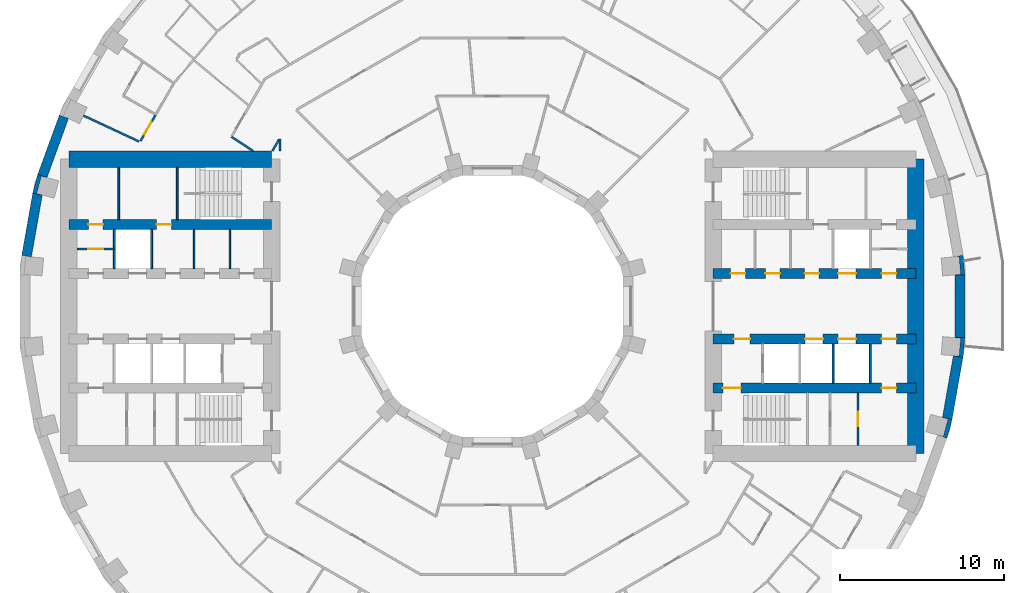
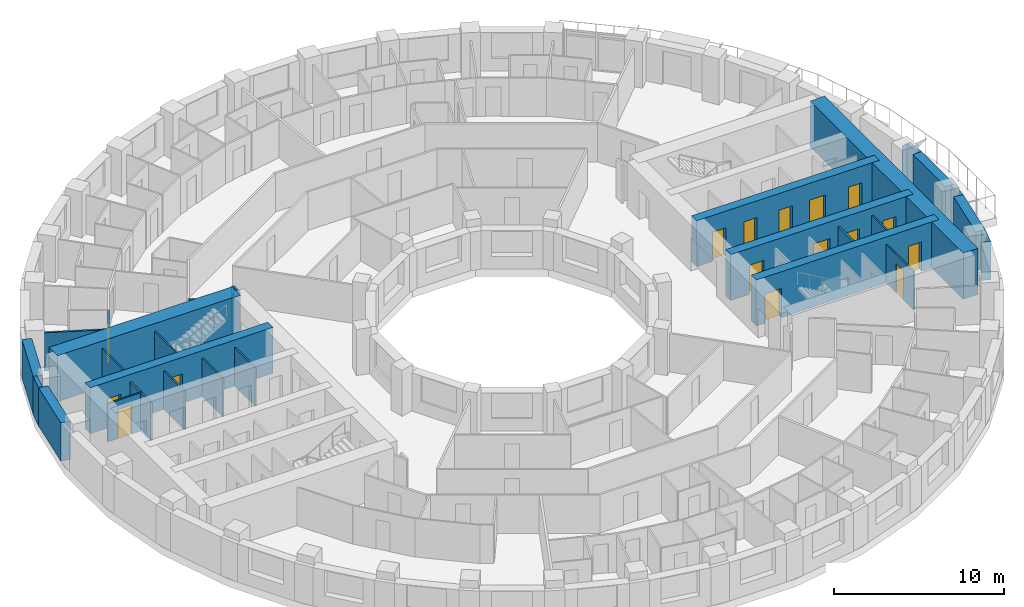
# One storey, part 9 of 15: 29 walls, 16 doors, 16 openings.
"""IFC4 building model written with IfcOpenShell, lengths in metres."""

from ifc_helpers import new_model, si_unit, direction, frame, frame_2d, origin, place, context, subcontext, project, spatial, polyline, rectangle, outline, extrude, material, layer, layer_set, type_object, element, fill, save


model = new_model("IFC4")

# Units and contexts
model_context = context("Model", 3, precision=1e-05, world=origin(), true_north=direction((0.0, 1.0)))
body_context = subcontext(model_context, "Body", "Model", "MODEL_VIEW")
ifc_project = project(units=[si_unit("LENGTHUNIT", "METRE"), si_unit("AREAUNIT", "SQUARE_METRE"), si_unit("VOLUMEUNIT", "CUBIC_METRE"), si_unit("PLANEANGLEUNIT", "RADIAN"), si_unit("MASSUNIT", "GRAM", prefix="KILO")], contexts=[model_context])

# Site, building, storey
site_placement = place(None, origin())
site = spatial("IfcSite", under=ifc_project, at=site_placement, CompositionType="ELEMENT")
building_placement = place(site_placement, origin())
building = spatial("IfcBuilding", under=site, at=building_placement, Name="Saqina Gate Tower", CompositionType="ELEMENT")
storey_placement = place(building_placement, frame((0.0, 0.0, 59.300048828125)))
storey = spatial("IfcBuildingStorey", under=building, at=storey_placement, Name="L16", CompositionType="ELEMENT", Elevation=59.300048828125)

# Walls
ifc_material_1 = material(Name="Brick masonry (red)", Category="masonry")
wall_type_1 = type_object("IfcWallType", Name="BRICK PIER COPING RED", PredefinedType="SOLIDWALL", material=ifc_material_1)
wall_1_placement = place(storey_placement, origin())
element("IfcWall", 1, at=wall_1_placement, inside=storey, type_object=wall_type_1, Name="Pier cap L16 column 1", PredefinedType="SOLIDWALL", context=body_context, shape_type="SweptSolid", body=[
    extrude(outline(polyline([(28.8896484375, 1.9228515625), (28.78466796875, 3.122802734375), (28.19384765625, 3.018798828125), (28.54296875, 3.04931640625), (28.638671875, 1.95361328125), (28.28955078125, 1.9228515625), (28.8896484375, 1.9228515625)])), origin(), (0.0, 0.0, 1.0), 2.75),
])
wall_2_placement = place(storey_placement, origin())
element("IfcWall", 2, at=wall_2_placement, inside=storey, type_object=wall_type_1, Name="Pier cap L16 column 17", PredefinedType="SOLIDWALL", context=body_context, shape_type="SweptSolid", body=[
    extrude(outline(polyline([(-28.11669921875, 6.910400390625), (-27.52587890625, 6.80615234375), (-27.864501953125, 6.896728515625), (-27.57958984375, 7.95947265625), (-27.2412109375, 7.86865234375), (-27.80517578125, 8.073974609375), (-28.11669921875, 6.910400390625)])), origin(), (0.0, 0.0, 1.0), 2.75),
])
wall_3_placement = place(storey_placement, origin())
element("IfcWall", 3, at=wall_3_placement, inside=storey, type_object=wall_type_1, Name="Pier cap L16 column 35", PredefinedType="SOLIDWALL", context=body_context, shape_type="SweptSolid", body=[
    extrude(outline(polyline([(28.11669921875, -6.910400390625), (27.52587890625, -6.80615234375), (27.864501953125, -6.896728515625), (27.57958984375, -7.95947265625), (27.2412109375, -7.86865234375), (27.80517578125, -8.073974609375), (28.11669921875, -6.910400390625)])), origin(), (0.0, 0.0, 1.0), 2.75),
])
wall_4_placement = place(storey_placement, origin())
element("IfcWall", 4, at=wall_4_placement, inside=storey, type_object=wall_type_1, Name="Pier cap L16 column 36", PredefinedType="SOLIDWALL", context=body_context, shape_type="SweptSolid", body=[
    extrude(outline(polyline([(28.78466796875, -3.122802734375), (28.8896484375, -1.9228515625), (28.28955078125, -1.9228515625), (28.638671875, -1.95361328125), (28.54296875, -3.04931640625), (28.19384765625, -3.018798828125), (28.78466796875, -3.122802734375)])), origin(), (0.0, 0.0, 1.0), 2.75),
])

# Wall, opening, door
ifc_material_2 = material(Name="Gypsum board on steel studs", Category="steel")
ifc_layer_1 = layer(ifc_material_2, 0.10009765625)
ifc_layer_set_1 = layer_set([ifc_layer_1], Name="CORE PARTITION")
wall_type_2 = type_object("IfcWallType", Name="CORE PARTITION", PredefinedType="PARTITIONING", material=ifc_layer_set_1)
wall_5_placement = place(storey_placement, frame((22.360107421875, -8.5, 0.0), z_axis=(0.0, 0.0, 1.0), x_axis=(0.0, 1.0, 0.0)))
wall_5 = element("IfcWall", 5, at=wall_5_placement, inside=storey, type_object=wall_type_2, Name="L16-CP-E14", PredefinedType="PARTITIONING", context=body_context, shape_type="SweptSolid", body=[
    extrude(rectangle(XDim=3.199951171875, YDim=0.10009765625, at=frame_2d((1.60009765625, 0.0))), origin(), (0.0, 0.0, 1.0), 2.75),
])
opening_1_placement = place(wall_5_placement, frame((1.14990234375, 0.0, 0.0)))
opening_1 = element("IfcOpeningElement", 6, at=opening_1_placement, cuts=wall_5, Name="Opening G04-D99", PredefinedType="OPENING", context=body_context, shape_type="SweptSolid", body=[
    extrude(rectangle(XDim=0.89990234375, YDim=2.10009765625, at=frame_2d((0.449951171875, 1.050048828125))), frame((0.0, 0.06201171875, 0.0), z_axis=(0.0, -1.0, 0.0), x_axis=(1.0, 0.0, 0.0)), (0.0, 0.0, 1.0), 0.1240234375),
])
ifc_material_3 = material(Name="Steel-framed fire door leaf, EI 60", Category="steel")
door_type_1 = type_object("IfcDoorType", Name="SERVICE ROOM DOOR 900", OperationType="SINGLE_SWING_LEFT", PredefinedType="DOOR", material=ifc_material_3)
door_1_placement = place(opening_1_placement, frame((0.89990234375, 0.0, 0.0), z_axis=(0.0, 0.0, 1.0), x_axis=(-1.0, 0.0, 0.0)))
door_1 = element("IfcDoor", 7, at=door_1_placement, inside=storey, type_object=door_type_1, Name="L16-CD-E10", OperationType="SINGLE_SWING_RIGHT", OverallHeight=2.10009765625, OverallWidth=0.89990234375, PredefinedType="DOOR", context=body_context, shape_type="SweptSolid", body=[
    extrude(rectangle(XDim=0.89990234375, YDim=2.10009765625, at=frame_2d((0.449951171875, 1.050048828125))), frame((0.0, 0.02490234375, 0.0), z_axis=(0.0, -1.0, 0.0), x_axis=(1.0, 0.0, 0.0)), (0.0, 0.0, 1.0), 0.050048828125),
])
fill(opening_1, door_1)

# Walls
for number, where, z_axis, x_axis, name in (
    (8, (-16.052001953125, 2.300048828125, 0.0), (0.0, 0.0, 1.0), (0.0, 1.0, 0.0), "L16-CP-W01"),
    (9, (-18.24072265625, 2.300048828125, 0.0), (0.0, 0.0, 1.0), (0.0, 1.0, 0.0), "L16-CP-W02"),
):
    element("IfcWall", number, at=place(storey_placement, frame(where, z_axis=z_axis, x_axis=x_axis)), inside=storey, type_object=wall_type_2, Name=name, PredefinedType="PARTITIONING", context=body_context, shape_type="SweptSolid", body=[
        extrude(rectangle(XDim=2.39990234375, YDim=0.10009765625, at=frame_2d((1.199951171875, 0.0))), origin(), (0.0, 0.0, 1.0), 2.75),
    ])

# Wall, opening, door
wall_6_placement = place(storey_placement, frame((-23.1201171875, 3.5, 0.0), z_axis=(0.0, 0.0, 1.0), x_axis=(-1.0, 0.0, 0.0)))
wall_6 = element("IfcWall", 10, at=wall_6_placement, inside=storey, type_object=wall_type_2, Name="L16-CP-W09", PredefinedType="PARTITIONING", context=body_context, shape_type="SweptSolid", body=[
    extrude(rectangle(XDim=2.27978515625, YDim=0.10009765625, at=frame_2d((1.139892578125, 0.0))), origin(), (0.0, 0.0, 1.0), 2.75),
])
opening_2_placement = place(wall_6_placement, frame((0.68994140625, 0.0, 0.0)))
opening_2 = element("IfcOpeningElement", 11, at=opening_2_placement, cuts=wall_6, Name="Opening G04-D112", PredefinedType="OPENING", context=body_context, shape_type="SweptSolid", body=[
    extrude(rectangle(XDim=0.89990234375, YDim=2.10009765625, at=frame_2d((0.449951171875, 1.050048828125))), frame((0.0, 0.06201171875, 0.0), z_axis=(0.0, -1.0, 0.0), x_axis=(1.0, 0.0, 0.0)), (0.0, 0.0, 1.0), 0.1240234375),
])
door_2_placement = place(opening_2_placement, frame((0.89990234375, 0.0, 0.0), z_axis=(0.0, 0.0, 1.0), x_axis=(-1.0, 0.0, 0.0)))
door_2 = element("IfcDoor", 12, at=door_2_placement, inside=storey, type_object=door_type_1, Name="L16-CD-W23", OperationType="SINGLE_SWING_LEFT", OverallHeight=2.10009765625, OverallWidth=0.89990234375, PredefinedType="DOOR", context=body_context, shape_type="SweptSolid", body=[
    extrude(rectangle(XDim=0.89990234375, YDim=2.10009765625, at=frame_2d((0.449951171875, 1.050048828125))), frame((0.0, 0.02490234375, 0.0), z_axis=(0.0, -1.0, 0.0), x_axis=(1.0, 0.0, 0.0)), (0.0, 0.0, 1.0), 0.050048828125),
])
fill(opening_2, door_2)

# Walls
wall_7_placement = place(storey_placement, frame((-22.846435546875, 5.300048828125, 0.0), z_axis=(0.0, 0.0, 1.0), x_axis=(0.0, 1.0, 0.0)))
element("IfcWall", 13, at=wall_7_placement, inside=storey, type_object=wall_type_2, Name="L16-CP-W11", PredefinedType="PARTITIONING", context=body_context, shape_type="SweptSolid", body=[
    extrude(rectangle(XDim=3.199951171875, YDim=0.10009765625, at=frame_2d((1.60009765625, 0.0))), origin(), (0.0, 0.0, 1.0), 2.75),
])
ifc_material_4 = material(Name="Glazed ceramic tile", Category="ceramic")
ifc_layer_2 = layer(ifc_material_4, 0.60009765625)
ifc_layer_set_2 = layer_set([ifc_layer_2], Name="FW-TILE")
wall_type_3 = type_object("IfcWallType", Name="FW-TILE", PredefinedType="SOLIDWALL", material=ifc_layer_set_2)
for number, where, z_axis, x_axis, name in (
    (14, (-27.8212890625, 6.858154296875, 0.0), (0.0, 0.0, 1.0), (-0.173687553279, -0.984800809218, 0.0), "Facade wall L16 facet 17"),
    (15, (27.8212890625, -6.858154296875, 0.0), (0.0, 0.0, 1.0), (0.173687553279, 0.984800809218, 0.0), "Facade wall L16 facet 35"),
):
    element("IfcWall", number, at=place(storey_placement, frame(where, z_axis=z_axis, x_axis=x_axis)), inside=storey, type_object=wall_type_3, Name=name, PredefinedType="SOLIDWALL", context=body_context, shape_type="SweptSolid", body=[
        extrude(rectangle(XDim=3.845703125, YDim=0.60009765625, at=frame_2d((1.9228515625, 0.0))), origin(), (0.0, 0.0, 1.0), 2.75),
    ])
ifc_material_5 = material(Name="Glazed ceramic tile (white)", Category="ceramic")
ifc_layer_3 = layer(ifc_material_5, 0.60009765625)
ifc_layer_set_3 = layer_set([ifc_layer_3], Name="FW-TILE-WH")
wall_type_4 = type_object("IfcWallType", Name="FW-TILE-WH", PredefinedType="SOLIDWALL", material=ifc_layer_set_3)
wall_8_placement = place(storey_placement, frame((-26.207763671875, 11.585205078125, 0.0), z_axis=(0.0, 0.0, 1.0), x_axis=(-0.342028474173, -0.939689588564, 0.0)))
element("IfcWall", 16, at=wall_8_placement, inside=storey, type_object=wall_type_4, Name="Facade wall L16 facet 16", PredefinedType="SOLIDWALL", context=body_context, shape_type="SweptSolid", body=[
    extrude(rectangle(XDim=3.845947265625, YDim=0.60009765625, at=frame_2d((1.9228515625, 0.0))), origin(), (0.0, 0.0, 1.0), 2.75),
])
wall_9_placement = place(storey_placement, frame((28.589599609375, -1.9228515625, 0.0), z_axis=(0.0, 0.0, 1.0), x_axis=(0.0, 1.0, 0.0)))
element("IfcWall", 17, at=wall_9_placement, inside=storey, type_object=wall_type_4, Name="Facade wall L16 facet 36", PredefinedType="SOLIDWALL", context=body_context, shape_type="SweptSolid", body=[
    extrude(rectangle(XDim=3.845703125, YDim=0.60009765625, at=frame_2d((1.9228515625, 0.0))), origin(), (0.0, 0.0, 1.0), 2.75),
])
ifc_material_6 = material(Name="Gypsum board on steel studs, 125 mm, fire rated", Category="steel")
ifc_layer_4 = layer(ifc_material_6, 0.125)
ifc_layer_set_4 = layer_set([ifc_layer_4], Name="PARTITION EI 30 125")
wall_type_5 = type_object("IfcWallType", Name="PARTITION EI 30 125", PredefinedType="PARTITIONING", material=ifc_layer_set_4)
wall_10_placement = place(storey_placement, frame((-15.95703125, 10.362060546875, 0.0), z_axis=(0.0, 0.0, 1.0), x_axis=(0.838795721465, -0.544446267002, 0.0)))
element("IfcWall", 18, at=wall_10_placement, inside=storey, type_object=wall_type_5, Name="PARTITION PW1-08", PredefinedType="PARTITIONING", context=body_context, shape_type="SweptSolid", body=[
    extrude(rectangle(XDim=1.583251953125, YDim=0.125, at=frame_2d((0.79150390625, 0.0))), origin(), (0.0, 0.0, 1.0), 2.75),
])
wall_11_placement = place(storey_placement, frame((-25.005126953125, 11.659912109375, 0.0), z_axis=(0.0, 0.0, 1.0), x_axis=(0.906339528383, -0.42255018553, 0.0)))
element("IfcWall", 19, at=wall_11_placement, inside=storey, type_object=wall_type_5, Name="PARTITION PW1-15", PredefinedType="PARTITIONING", context=body_context, shape_type="SweptSolid", body=[
    extrude(rectangle(XDim=3.74755859375, YDim=0.125, at=frame_2d((1.873779296875, 0.0))), origin(), (0.0, 0.0, 1.0), 2.75),
])
wall_12_placement = place(storey_placement, frame((-13.451904296875, 9.5, 0.0), z_axis=(0.0, 0.0, 1.0), x_axis=(0.49991670217, 0.866073490468, 0.0)))
element("IfcWall", 20, at=wall_12_placement, inside=storey, type_object=wall_type_5, Name="PARTITION PW1-49", PredefinedType="PARTITIONING", context=body_context, shape_type="SweptSolid", body=[
    extrude(rectangle(XDim=0.834228515625, YDim=0.125, at=frame_2d((0.4169921875, 0.0))), origin(), (0.0, 0.0, 1.0), 2.75),
])

# Wall, opening, door
wall_13_placement = place(storey_placement, frame((-21.520751953125, 10.10400390625, 0.0), z_axis=(0.0, 0.0, 1.0), x_axis=(0.500003827654, 0.866023193876, 0.0)))
wall_13 = element("IfcWall", 21, at=wall_13_placement, inside=storey, type_object=wall_type_5, Name="PARTITION PW1-51", PredefinedType="PARTITIONING", context=body_context, shape_type="SweptSolid", body=[
    extrude(rectangle(XDim=1.82763671875, YDim=0.125, at=frame_2d((0.913818359375, 0.0))), origin(), (0.0, 0.0, 1.0), 2.75),
])
opening_3_placement = place(wall_13_placement, frame((0.45849609375, 0.0, 0.0)))
opening_3 = element("IfcOpeningElement", 22, at=opening_3_placement, cuts=wall_13, Name="Opening G04-D36", PredefinedType="OPENING", context=body_context, shape_type="SweptSolid", body=[
    extrude(rectangle(XDim=0.89990234375, YDim=2.10009765625, at=frame_2d((0.449951171875, 1.050048828125))), frame((0.0, 0.074462890625, 0.0), z_axis=(0.0, -1.0, 0.0), x_axis=(1.0, 0.0, 0.0)), (0.0, 0.0, 1.0), 0.14892578125),
])
ifc_material_7 = material(Name="Fire door leaf EI 30, 900 mm")
door_type_2 = type_object("IfcDoorType", Name="DOOR 900 EI 30", OperationType="SINGLE_SWING_LEFT", PredefinedType="DOOR", material=ifc_material_7)
door_3_placement = place(opening_3_placement, frame((0.89990234375, 0.0, 0.0), z_axis=(0.0, 0.0, 1.0), x_axis=(-1.0, 0.0, 0.0)))
door_3 = element("IfcDoor", 23, at=door_3_placement, inside=storey, type_object=door_type_2, Name="DOOR G04-D36", OperationType="SINGLE_SWING_RIGHT", OverallHeight=2.10009765625, OverallWidth=0.89990234375, PredefinedType="DOOR", context=body_context, shape_type="SweptSolid", body=[
    extrude(rectangle(XDim=0.89990234375, YDim=2.10009765625, at=frame_2d((0.449951171875, 1.050048828125))), frame((0.0, 0.02490234375, 0.0), z_axis=(0.0, -1.0, 0.0), x_axis=(1.0, 0.0, 0.0)), (0.0, 0.0, 1.0), 0.050048828125),
])
fill(opening_3, door_3)

# Walls
wall_14_placement = place(storey_placement, frame((-13.0, 9.5, 0.0), z_axis=(0.0, 0.0, 1.0), x_axis=(0.0, 1.0, 0.0)))
element("IfcWall", 24, at=wall_14_placement, inside=storey, type_object=wall_type_5, Name="PARTITION PW1-55", PredefinedType="PARTITIONING", context=body_context, shape_type="SweptSolid", body=[
    extrude(rectangle(XDim=0.720458984375, YDim=0.125, at=frame_2d((0.3603515625, 0.0))), origin(), (0.0, 0.0, 1.0), 2.75),
])
ifc_material_8 = material(Name="Autoclaved aerated concrete block", Category="concrete")
ifc_layer_5 = layer(ifc_material_8, 0.1201171875)
ifc_layer_set_5 = layer_set([ifc_layer_5], Name="SHAFT PARTITION")
wall_type_6 = type_object("IfcWallType", Name="SHAFT PARTITION", PredefinedType="PARTITIONING", material=ifc_layer_set_5)
for number, where, z_axis, x_axis, name in (
    (25, (20.840087890625, -4.699951171875, 0.0), (0.0, 0.0, 1.0), (0.0, 1.0, 0.0), "L16-CP-E07"),
    (26, (23.1201171875, -4.699951171875, 0.0), (0.0, 0.0, 1.0), (0.0, 1.0, 0.0), "L16-CP-E08"),
    (27, (-20.840087890625, 2.300048828125, 0.0), (0.0, 0.0, 1.0), (0.0, 1.0, 0.0), "L16-CP-W03"),
    (28, (-23.1201171875, 2.300048828125, 0.0), (0.0, 0.0, 1.0), (0.0, 1.0, 0.0), "L16-CP-W04"),
):
    element("IfcWall", number, at=place(storey_placement, frame(where, z_axis=z_axis, x_axis=x_axis)), inside=storey, type_object=wall_type_6, Name=name, PredefinedType="PARTITIONING", context=body_context, shape_type="SweptSolid", body=[
        extrude(rectangle(XDim=2.39990234375, YDim=0.1201171875, at=frame_2d((1.199951171875, 0.0))), origin(), (0.0, 0.0, 1.0), 2.75),
    ])
ifc_material_9 = material(Name="Autoclaved aerated concrete block", Category="concrete")
ifc_layer_6 = layer(ifc_material_9, 0.10009765625)
ifc_layer_set_6 = layer_set([ifc_layer_6], Name="STAIR ENCLOSURE WALL")
wall_type_7 = type_object("IfcWallType", Name="STAIR ENCLOSURE WALL", PredefinedType="PARTITIONING", material=ifc_layer_set_6)
wall_15_placement = place(storey_placement, frame((-19.27001953125, 5.300048828125, 0.0), z_axis=(0.0, 0.0, 1.0), x_axis=(0.0, 1.0, 0.0)))
element("IfcWall", 29, at=wall_15_placement, inside=storey, type_object=wall_type_7, Name="L16-CP-W10", PredefinedType="PARTITIONING", context=body_context, shape_type="SweptSolid", body=[
    extrude(rectangle(XDim=3.199951171875, YDim=0.10009765625, at=frame_2d((1.60009765625, 0.0))), origin(), (0.0, 0.0, 1.0), 2.75),
])

# Wall, openings, doors
ifc_material_10 = material(Name="Concrete C70/85", Category="concrete")
ifc_layer_7 = layer(ifc_material_10, 0.60009765625)
ifc_layer_set_7 = layer_set([ifc_layer_7], Name="Concrete C70/85")
wall_type_8 = type_object("IfcWallType", Name="STR-CORE WALL-A-I", PredefinedType="SHEAR", material=ifc_layer_set_7)
wall_16_placement = place(storey_placement, frame((13.5, -5.0, 0.0), z_axis=(0.0, 0.0, 1.0), x_axis=(1.0, 0.0, 0.0)))
wall_16 = element("IfcWall", 30, at=wall_16_placement, inside=storey, type_object=wall_type_8, Name="CORE WALL L16 E-X2", PredefinedType="SHEAR", context=body_context, shape_type="SweptSolid", body=[
    extrude(rectangle(XDim=12.39990234375, YDim=0.60009765625, at=frame_2d((6.199951171875, 0.0))), origin(), (0.0, 0.0, 1.0), 3.300048828125),
])
opening_4_placement = place(wall_16_placement, frame((10.31005859375, 0.0, 0.0)))
opening_4 = element("IfcOpeningElement", 31, at=opening_4_placement, cuts=wall_16, Name="Opening G04-D101", PredefinedType="OPENING", context=body_context, shape_type="SweptSolid", body=[
    extrude(rectangle(XDim=0.89990234375, YDim=2.10009765625, at=frame_2d((0.449951171875, 1.050048828125))), frame((0.0, 0.31201171875, 0.0), z_axis=(0.0, -1.0, 0.0), x_axis=(1.0, 0.0, 0.0)), (0.0, 0.0, 1.0), 0.6240234375),
])
opening_5_placement = place(wall_16_placement, frame((0.60009765625, 0.0, 0.0)))
opening_5 = element("IfcOpeningElement", 32, at=opening_5_placement, cuts=wall_16, Name="Opening G04-D102", PredefinedType="OPENING", context=body_context, shape_type="SweptSolid", body=[
    extrude(rectangle(XDim=1.10009765625, YDim=2.10009765625, at=frame_2d((0.550048828125, 1.050048828125))), frame((0.0, 0.31201171875, 0.0), z_axis=(0.0, -1.0, 0.0), x_axis=(1.0, 0.0, 0.0)), (0.0, 0.0, 1.0), 0.6240234375),
])
ifc_material_11 = material(Name="Steel", Category="steel")
door_type_3 = type_object("IfcDoorType", Name="FIRE LOBBY DOOR EI 60 WIDE", OperationType="SINGLE_SWING_LEFT", PredefinedType="DOOR", material=ifc_material_11)
door_4_placement = place(opening_5_placement, frame((1.10009765625, 0.0, 0.0), z_axis=(0.0, 0.0, 1.0), x_axis=(-1.0, 0.0, 0.0)))
door_4 = element("IfcDoor", 33, at=door_4_placement, inside=storey, type_object=door_type_3, Name="L16-CD-E13", OperationType="SINGLE_SWING_RIGHT", OverallHeight=2.10009765625, OverallWidth=1.10009765625, PredefinedType="DOOR", context=body_context, shape_type="SweptSolid", body=[
    extrude(rectangle(XDim=1.10009765625, YDim=2.10009765625, at=frame_2d((0.550048828125, 1.050048828125))), frame((0.0, 0.02490234375, 0.0), z_axis=(0.0, -1.0, 0.0), x_axis=(1.0, 0.0, 0.0)), (0.0, 0.0, 1.0), 0.050048828125),
])
fill(opening_5, door_4)
door_5_placement = place(opening_4_placement, frame((0.89990234375, 0.0, 0.0), z_axis=(0.0, 0.0, 1.0), x_axis=(-1.0, 0.0, 0.0)))
door_5 = element("IfcDoor", 34, at=door_5_placement, inside=storey, type_object=door_type_1, Name="L16-CD-E12", OperationType="SINGLE_SWING_LEFT", OverallHeight=2.10009765625, OverallWidth=0.89990234375, PredefinedType="DOOR", context=body_context, shape_type="SweptSolid", body=[
    extrude(rectangle(XDim=0.89990234375, YDim=2.10009765625, at=frame_2d((0.449951171875, 1.050048828125))), frame((0.0, 0.02490234375, 0.0), z_axis=(0.0, -1.0, 0.0), x_axis=(1.0, 0.0, 0.0)), (0.0, 0.0, 1.0), 0.050048828125),
])
fill(opening_4, door_5)

wall_17_placement = place(storey_placement, frame((13.5, 2.0, 0.0), z_axis=(0.0, 0.0, 1.0), x_axis=(1.0, 0.0, 0.0)))
wall_17 = element("IfcWall", 35, at=wall_17_placement, inside=storey, type_object=wall_type_8, Name="CORE WALL L16 E-L1", PredefinedType="SHEAR", context=body_context, shape_type="SweptSolid", body=[
    extrude(rectangle(XDim=12.39990234375, YDim=0.60009765625, at=frame_2d((6.199951171875, 0.0))), origin(), (0.0, 0.0, 1.0), 3.300048828125),
])
opening_6_placement = place(wall_17_placement, frame((7.64990234375, 0.0, 0.0)))
opening_6 = element("IfcOpeningElement", 36, at=opening_6_placement, cuts=wall_17, Name="Opening G04-LD1", PredefinedType="OPENING", context=body_context, shape_type="SweptSolid", body=[
    extrude(rectangle(XDim=1.10009765625, YDim=2.10009765625, at=frame_2d((0.550048828125, 1.050048828125))), frame((0.0, 0.31201171875, 0.0), z_axis=(0.0, -1.0, 0.0), x_axis=(1.0, 0.0, 0.0)), (0.0, 0.0, 1.0), 0.6240234375),
])
opening_7_placement = place(wall_17_placement, frame((1.075927734375, 0.0, 0.0)))
opening_7 = element("IfcOpeningElement", 37, at=opening_7_placement, cuts=wall_17, Name="Opening G04-D90", PredefinedType="OPENING", context=body_context, shape_type="SweptSolid", body=[
    extrude(rectangle(XDim=0.89990234375, YDim=2.10009765625, at=frame_2d((0.449951171875, 1.050048828125))), frame((0.0, 0.31201171875, 0.0), z_axis=(0.0, -1.0, 0.0), x_axis=(1.0, 0.0, 0.0)), (0.0, 0.0, 1.0), 0.6240234375),
])
opening_8_placement = place(wall_17_placement, frame((3.1962890625, 0.0, 0.0)))
opening_8 = element("IfcOpeningElement", 38, at=opening_8_placement, cuts=wall_17, Name="Opening G04-D91", PredefinedType="OPENING", context=body_context, shape_type="SweptSolid", body=[
    extrude(rectangle(XDim=0.89990234375, YDim=2.10009765625, at=frame_2d((0.449951171875, 1.050048828125))), frame((0.0, 0.31201171875, 0.0), z_axis=(0.0, -1.0, 0.0), x_axis=(1.0, 0.0, 0.0)), (0.0, 0.0, 1.0), 0.6240234375),
])
opening_9_placement = place(wall_17_placement, frame((5.59033203125, 0.0, 0.0)))
opening_9 = element("IfcOpeningElement", 39, at=opening_9_placement, cuts=wall_17, Name="Opening G04-D92", PredefinedType="OPENING", context=body_context, shape_type="SweptSolid", body=[
    extrude(rectangle(XDim=0.89990234375, YDim=2.10009765625, at=frame_2d((0.449951171875, 1.050048828125))), frame((0.0, 0.31201171875, 0.0), z_axis=(0.0, -1.0, 0.0), x_axis=(1.0, 0.0, 0.0)), (0.0, 0.0, 1.0), 0.6240234375),
])
opening_10_placement = place(wall_17_placement, frame((10.31005859375, 0.0, 0.0)))
opening_10 = element("IfcOpeningElement", 40, at=opening_10_placement, cuts=wall_17, Name="Opening G04-D93", PredefinedType="OPENING", context=body_context, shape_type="SweptSolid", body=[
    extrude(rectangle(XDim=0.89990234375, YDim=2.10009765625, at=frame_2d((0.449951171875, 1.050048828125))), frame((0.0, 0.31201171875, 0.0), z_axis=(0.0, -1.0, 0.0), x_axis=(1.0, 0.0, 0.0)), (0.0, 0.0, 1.0), 0.6240234375),
])
ifc_material_12 = material(Name="Stainless steel", Category="steel")
door_type_4 = type_object("IfcDoorType", Name="LANDING DOOR", OperationType="DOUBLE_DOOR_SLIDING", PredefinedType="DOOR", material=ifc_material_12)
door_6_placement = place(opening_6_placement, origin())
door_6 = element("IfcDoor", 41, at=door_6_placement, inside=storey, type_object=door_type_4, Name="LANDING DOOR LR1", OperationType="DOUBLE_DOOR_SLIDING", OverallHeight=2.10009765625, OverallWidth=1.10009765625, PredefinedType="DOOR", context=body_context, shape_type="SweptSolid", body=[
    extrude(rectangle(XDim=1.10009765625, YDim=2.10009765625, at=frame_2d((0.550048828125, 1.050048828125))), frame((0.0, 0.02490234375, 0.0), z_axis=(0.0, -1.0, 0.0), x_axis=(1.0, 0.0, 0.0)), (0.0, 0.0, 1.0), 0.050048828125),
])
fill(opening_6, door_6)
door_7_placement = place(opening_7_placement, origin())
door_7 = element("IfcDoor", 42, at=door_7_placement, inside=storey, type_object=door_type_1, Name="L16-CD-E01", OperationType="SINGLE_SWING_RIGHT", OverallHeight=2.10009765625, OverallWidth=0.89990234375, PredefinedType="DOOR", context=body_context, shape_type="SweptSolid", body=[
    extrude(rectangle(XDim=0.89990234375, YDim=2.10009765625, at=frame_2d((0.449951171875, 1.050048828125))), frame((0.0, 0.02490234375, 0.0), z_axis=(0.0, -1.0, 0.0), x_axis=(1.0, 0.0, 0.0)), (0.0, 0.0, 1.0), 0.050048828125),
])
fill(opening_7, door_7)
door_8_placement = place(opening_8_placement, origin())
door_8 = element("IfcDoor", 43, at=door_8_placement, inside=storey, type_object=door_type_1, Name="L16-CD-E02", OperationType="SINGLE_SWING_LEFT", OverallHeight=2.10009765625, OverallWidth=0.89990234375, PredefinedType="DOOR", context=body_context, shape_type="SweptSolid", body=[
    extrude(rectangle(XDim=0.89990234375, YDim=2.10009765625, at=frame_2d((0.449951171875, 1.050048828125))), frame((0.0, 0.02490234375, 0.0), z_axis=(0.0, -1.0, 0.0), x_axis=(1.0, 0.0, 0.0)), (0.0, 0.0, 1.0), 0.050048828125),
])
fill(opening_8, door_8)
door_9_placement = place(opening_9_placement, origin())
door_9 = element("IfcDoor", 44, at=door_9_placement, inside=storey, type_object=door_type_1, Name="L16-CD-E03", OperationType="SINGLE_SWING_LEFT", OverallHeight=2.10009765625, OverallWidth=0.89990234375, PredefinedType="DOOR", context=body_context, shape_type="SweptSolid", body=[
    extrude(rectangle(XDim=0.89990234375, YDim=2.10009765625, at=frame_2d((0.449951171875, 1.050048828125))), frame((0.0, 0.02490234375, 0.0), z_axis=(0.0, -1.0, 0.0), x_axis=(1.0, 0.0, 0.0)), (0.0, 0.0, 1.0), 0.050048828125),
])
fill(opening_9, door_9)
door_10_placement = place(opening_10_placement, origin())
door_10 = element("IfcDoor", 45, at=door_10_placement, inside=storey, type_object=door_type_1, Name="L16-CD-E04", OperationType="SINGLE_SWING_RIGHT", OverallHeight=2.10009765625, OverallWidth=0.89990234375, PredefinedType="DOOR", context=body_context, shape_type="SweptSolid", body=[
    extrude(rectangle(XDim=0.89990234375, YDim=2.10009765625, at=frame_2d((0.449951171875, 1.050048828125))), frame((0.0, 0.02490234375, 0.0), z_axis=(0.0, -1.0, 0.0), x_axis=(1.0, 0.0, 0.0)), (0.0, 0.0, 1.0), 0.050048828125),
])
fill(opening_10, door_10)

wall_18_placement = place(storey_placement, frame((13.5, -2.0, 0.0), z_axis=(0.0, 0.0, 1.0), x_axis=(1.0, 0.0, 0.0)))
wall_18 = element("IfcWall", 46, at=wall_18_placement, inside=storey, type_object=wall_type_8, Name="CORE WALL L16 E-L2", PredefinedType="SHEAR", context=body_context, shape_type="SweptSolid", body=[
    extrude(rectangle(XDim=12.39990234375, YDim=0.60009765625, at=frame_2d((6.199951171875, 0.0))), origin(), (0.0, 0.0, 1.0), 3.300048828125),
])
opening_11_placement = place(wall_18_placement, frame((5.6201171875, 0.0, 0.0)))
opening_11 = element("IfcOpeningElement", 47, at=opening_11_placement, cuts=wall_18, Name="Opening G04-LD3", PredefinedType="OPENING", context=body_context, shape_type="SweptSolid", body=[
    extrude(rectangle(XDim=1.10009765625, YDim=2.10009765625, at=frame_2d((0.550048828125, 1.050048828125))), frame((0.0, 0.31201171875, 0.0), z_axis=(0.0, -1.0, 0.0), x_axis=(1.0, 0.0, 0.0)), (0.0, 0.0, 1.0), 0.6240234375),
])
opening_12_placement = place(wall_18_placement, frame((7.64990234375, 0.0, 0.0)))
opening_12 = element("IfcOpeningElement", 48, at=opening_12_placement, cuts=wall_18, Name="Opening G04-LD4", PredefinedType="OPENING", context=body_context, shape_type="SweptSolid", body=[
    extrude(rectangle(XDim=1.10009765625, YDim=2.10009765625, at=frame_2d((0.550048828125, 1.050048828125))), frame((0.0, 0.31201171875, 0.0), z_axis=(0.0, -1.0, 0.0), x_axis=(1.0, 0.0, 0.0)), (0.0, 0.0, 1.0), 0.6240234375),
])
opening_13_placement = place(wall_18_placement, frame((1.264892578125, 0.0, 0.0)))
opening_13 = element("IfcOpeningElement", 49, at=opening_13_placement, cuts=wall_18, Name="Opening G04-D94", PredefinedType="OPENING", context=body_context, shape_type="SweptSolid", body=[
    extrude(rectangle(XDim=1.0, YDim=2.10009765625, at=frame_2d((0.5, 1.050048828125))), frame((0.0, 0.31201171875, 0.0), z_axis=(0.0, -1.0, 0.0), x_axis=(1.0, 0.0, 0.0)), (0.0, 0.0, 1.0), 0.6240234375),
])
opening_14_placement = place(wall_18_placement, frame((10.31005859375, 0.0, 0.0)))
opening_14 = element("IfcOpeningElement", 50, at=opening_14_placement, cuts=wall_18, Name="Opening G04-D95", PredefinedType="OPENING", context=body_context, shape_type="SweptSolid", body=[
    extrude(rectangle(XDim=0.89990234375, YDim=2.10009765625, at=frame_2d((0.449951171875, 1.050048828125))), frame((0.0, 0.31201171875, 0.0), z_axis=(0.0, -1.0, 0.0), x_axis=(1.0, 0.0, 0.0)), (0.0, 0.0, 1.0), 0.6240234375),
])
ifc_material_13 = material(Name="Steel", Category="steel")
door_type_5 = type_object("IfcDoorType", Name="FIRE LOBBY DOOR EI 60", OperationType="SINGLE_SWING_LEFT", PredefinedType="DOOR", material=ifc_material_13)
door_11_placement = place(opening_13_placement, origin())
door_11 = element("IfcDoor", 51, at=door_11_placement, inside=storey, type_object=door_type_5, Name="L16-CD-E05", OperationType="SINGLE_SWING_LEFT", OverallHeight=2.10009765625, OverallWidth=1.0, PredefinedType="DOOR", context=body_context, shape_type="SweptSolid", body=[
    extrude(rectangle(XDim=1.0, YDim=2.10009765625, at=frame_2d((0.5, 1.050048828125))), frame((0.0, 0.02490234375, 0.0), z_axis=(0.0, -1.0, 0.0), x_axis=(1.0, 0.0, 0.0)), (0.0, 0.0, 1.0), 0.050048828125),
])
fill(opening_13, door_11)
door_12_placement = place(opening_11_placement, origin())
door_12 = element("IfcDoor", 52, at=door_12_placement, inside=storey, type_object=door_type_4, Name="LANDING DOOR LR3", OperationType="DOUBLE_DOOR_SLIDING", OverallHeight=2.10009765625, OverallWidth=1.10009765625, PredefinedType="DOOR", context=body_context, shape_type="SweptSolid", body=[
    extrude(rectangle(XDim=1.10009765625, YDim=2.10009765625, at=frame_2d((0.550048828125, 1.050048828125))), frame((0.0, 0.02490234375, 0.0), z_axis=(0.0, -1.0, 0.0), x_axis=(1.0, 0.0, 0.0)), (0.0, 0.0, 1.0), 0.050048828125),
])
fill(opening_11, door_12)
door_13_placement = place(opening_12_placement, origin())
door_13 = element("IfcDoor", 53, at=door_13_placement, inside=storey, type_object=door_type_4, Name="LANDING DOOR LR2", OperationType="DOUBLE_DOOR_SLIDING", OverallHeight=2.10009765625, OverallWidth=1.10009765625, PredefinedType="DOOR", context=body_context, shape_type="SweptSolid", body=[
    extrude(rectangle(XDim=1.10009765625, YDim=2.10009765625, at=frame_2d((0.550048828125, 1.050048828125))), frame((0.0, 0.02490234375, 0.0), z_axis=(0.0, -1.0, 0.0), x_axis=(1.0, 0.0, 0.0)), (0.0, 0.0, 1.0), 0.050048828125),
])
fill(opening_12, door_13)
door_14_placement = place(opening_14_placement, frame((0.89990234375, 0.0, 0.0), z_axis=(0.0, 0.0, 1.0), x_axis=(-1.0, 0.0, 0.0)))
door_14 = element("IfcDoor", 54, at=door_14_placement, inside=storey, type_object=door_type_1, Name="L16-CD-E06", OperationType="SINGLE_SWING_LEFT", OverallHeight=2.10009765625, OverallWidth=0.89990234375, PredefinedType="DOOR", context=body_context, shape_type="SweptSolid", body=[
    extrude(rectangle(XDim=0.89990234375, YDim=2.10009765625, at=frame_2d((0.449951171875, 1.050048828125))), frame((0.0, 0.02490234375, 0.0), z_axis=(0.0, -1.0, 0.0), x_axis=(1.0, 0.0, 0.0)), (0.0, 0.0, 1.0), 0.050048828125),
])
fill(opening_14, door_14)

wall_19_placement = place(storey_placement, frame((-13.5, 5.0, 0.0), z_axis=(0.0, 0.0, 1.0), x_axis=(-1.0, 0.0, 0.0)))
wall_19 = element("IfcWall", 55, at=wall_19_placement, inside=storey, type_object=wall_type_8, Name="CORE WALL L16 W-X1", PredefinedType="SHEAR", context=body_context, shape_type="SweptSolid", body=[
    extrude(rectangle(XDim=12.39990234375, YDim=0.60009765625, at=frame_2d((6.199951171875, 0.0))), origin(), (0.0, 0.0, 1.0), 3.300048828125),
])
opening_15_placement = place(wall_19_placement, frame((6.1298828125, 0.0, 0.0)))
opening_15 = element("IfcOpeningElement", 56, at=opening_15_placement, cuts=wall_19, Name="Opening G04-D113", PredefinedType="OPENING", context=body_context, shape_type="SweptSolid", body=[
    extrude(rectangle(XDim=0.89990234375, YDim=2.10009765625, at=frame_2d((0.449951171875, 1.050048828125))), frame((0.0, 0.31201171875, 0.0), z_axis=(0.0, -1.0, 0.0), x_axis=(1.0, 0.0, 0.0)), (0.0, 0.0, 1.0), 0.6240234375),
])
opening_16_placement = place(wall_19_placement, frame((10.31005859375, 0.0, 0.0)))
opening_16 = element("IfcOpeningElement", 57, at=opening_16_placement, cuts=wall_19, Name="Opening G04-D114", PredefinedType="OPENING", context=body_context, shape_type="SweptSolid", body=[
    extrude(rectangle(XDim=0.89990234375, YDim=2.10009765625, at=frame_2d((0.449951171875, 1.050048828125))), frame((0.0, 0.31201171875, 0.0), z_axis=(0.0, -1.0, 0.0), x_axis=(1.0, 0.0, 0.0)), (0.0, 0.0, 1.0), 0.6240234375),
])
door_15_placement = place(opening_15_placement, frame((0.89990234375, 0.0, 0.0), z_axis=(0.0, 0.0, 1.0), x_axis=(-1.0, 0.0, 0.0)))
door_15 = element("IfcDoor", 58, at=door_15_placement, inside=storey, type_object=door_type_1, Name="L16-CD-W24", OperationType="SINGLE_SWING_RIGHT", OverallHeight=2.10009765625, OverallWidth=0.89990234375, PredefinedType="DOOR", context=body_context, shape_type="SweptSolid", body=[
    extrude(rectangle(XDim=0.89990234375, YDim=2.10009765625, at=frame_2d((0.449951171875, 1.050048828125))), frame((0.0, 0.02490234375, 0.0), z_axis=(0.0, -1.0, 0.0), x_axis=(1.0, 0.0, 0.0)), (0.0, 0.0, 1.0), 0.050048828125),
])
fill(opening_15, door_15)
door_16_placement = place(opening_16_placement, frame((0.89990234375, 0.0, 0.0), z_axis=(0.0, 0.0, 1.0), x_axis=(-1.0, 0.0, 0.0)))
door_16 = element("IfcDoor", 59, at=door_16_placement, inside=storey, type_object=door_type_1, Name="L16-CD-W25", OperationType="SINGLE_SWING_LEFT", OverallHeight=2.10009765625, OverallWidth=0.89990234375, PredefinedType="DOOR", context=body_context, shape_type="SweptSolid", body=[
    extrude(rectangle(XDim=0.89990234375, YDim=2.10009765625, at=frame_2d((0.449951171875, 1.050048828125))), frame((0.0, 0.02490234375, 0.0), z_axis=(0.0, -1.0, 0.0), x_axis=(1.0, 0.0, 0.0)), (0.0, 0.0, 1.0), 0.050048828125),
])
fill(opening_16, door_16)

# Walls
ifc_material_14 = material(Name="Concrete C70/85", Category="concrete")
ifc_layer_8 = layer(ifc_material_14, 1.0)
ifc_layer_set_8 = layer_set([ifc_layer_8], Name="Concrete C70/85")
wall_type_9 = type_object("IfcWallType", Name="STR-CORE WALL-A-O", PredefinedType="SHEAR", material=ifc_layer_set_8)
wall_20_placement = place(storey_placement, frame((25.89990234375, -9.0, 0.0), z_axis=(0.0, 0.0, 1.0), x_axis=(0.0, 1.0, 0.0)))
element("IfcWall", 60, at=wall_20_placement, inside=storey, type_object=wall_type_9, Name="CORE WALL L16 E-W2", PredefinedType="SHEAR", context=body_context, shape_type="SweptSolid", body=[
    extrude(rectangle(XDim=18.0, YDim=1.0, at=frame_2d((9.0, 0.0))), origin(), (0.0, 0.0, 1.0), 3.300048828125),
])
wall_21_placement = place(storey_placement, frame((-13.5, 9.0, 0.0), z_axis=(0.0, 0.0, 1.0), x_axis=(-1.0, 0.0, 0.0)))
element("IfcWall", 61, at=wall_21_placement, inside=storey, type_object=wall_type_9, Name="CORE WALL L16 W-NE", PredefinedType="SHEAR", context=body_context, shape_type="SweptSolid", body=[
    extrude(rectangle(XDim=12.39990234375, YDim=1.0, at=frame_2d((6.199951171875, 0.0))), origin(), (0.0, 0.0, 1.0), 3.300048828125),
])

save(model, "model.ifc")
